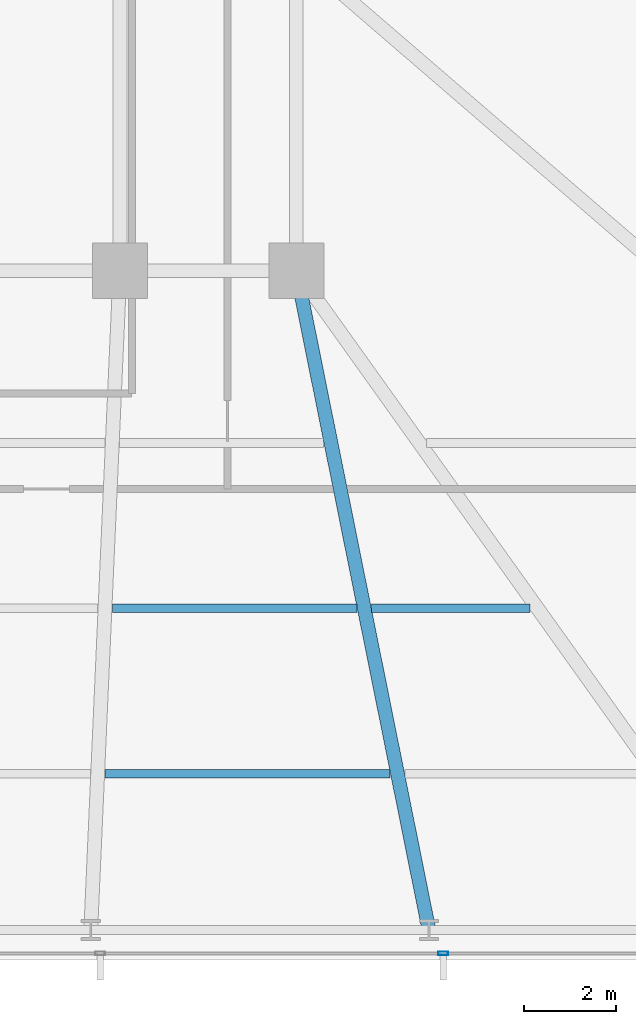
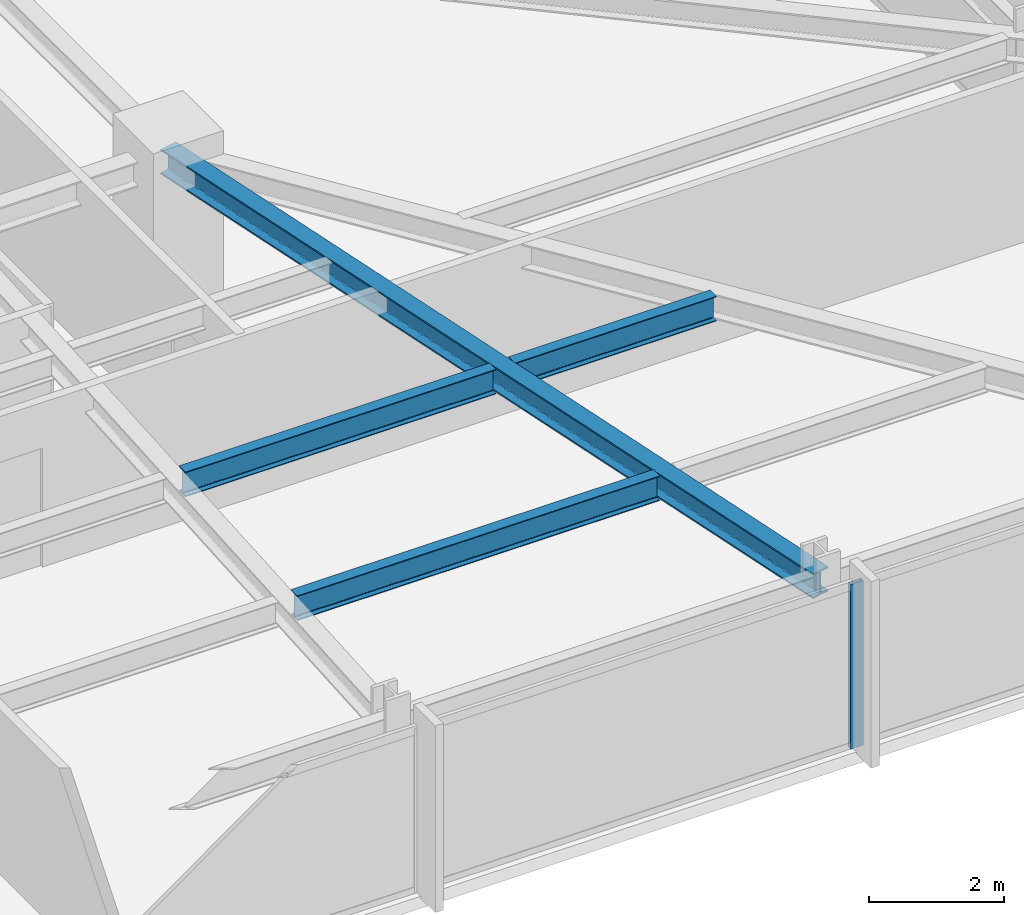
# One storey, part 14 of 32: 4 beams, 1 member, 1 element without a shape of its own.
"""IFC4 building model written with IfcOpenShell, lengths in metres."""

from ifc_helpers import new_model, si_unit, direction, frame, origin, origin_2d, place, context, subcontext, project, spatial, hollow_rectangle, i_section, extrude, material, material_profile, profile_set, type_object, element, aggregate, save


model = new_model("IFC4")

# Units and contexts
model_context = context("Model", 3, precision=1e-05, world=origin(), true_north=direction((0.0, 1.0)))
body_context = subcontext(model_context, "Body", "Model", "MODEL_VIEW")
ifc_project = project(units=[si_unit("LENGTHUNIT", "METRE"), si_unit("AREAUNIT", "SQUARE_METRE"), si_unit("VOLUMEUNIT", "CUBIC_METRE"), si_unit("PLANEANGLEUNIT", "RADIAN"), si_unit("MASSUNIT", "GRAM", prefix="KILO")], contexts=[model_context])

# Site, building, storey
site_placement = place(None, origin())
site = spatial("IfcSite", under=ifc_project, at=site_placement, CompositionType="ELEMENT")
building_placement = place(site_placement, origin())
building = spatial("IfcBuilding", under=site, at=building_placement, Name="Yelkora Congress Tower", CompositionType="ELEMENT")
storey_placement = place(building_placement, frame((0.0, 0.0, 74.60009765625)))
storey = spatial("IfcBuildingStorey", under=building, at=storey_placement, Name="L19", CompositionType="ELEMENT", Elevation=74.60009765625)

# Beams
ifc_material_1 = material(Name="Steel S355J2", Category="steel")
ifc_material_profile_1 = material_profile(ifc_material_1, i_section(OverallWidth=0.300048828125, OverallDepth=0.449951171875, WebThickness=0.013916015625, FlangeThickness=0.02587890625, FilletRadius=0.027099609375, at=origin_2d()), Name="HEB 450")
ifc_profile_set_1 = profile_set([ifc_material_profile_1], Name="Steel S355J2")
beam_type_1 = type_object("IfcBeamType", Name="BM-GIRD-HEB450", PredefinedType="BEAM", material=ifc_profile_set_1)
beam_1_placement = place(storey_placement, frame((60.487548828125, 10.85009765625, 2.7548828125), z_axis=(-0.197264295931, 0.980350344291, 0.0), x_axis=(-0.980350344291, -0.197264295931, 0.0)))
element("IfcBeam", 1, at=beam_1_placement, inside=storey, type_object=beam_type_1, Name="L19 Primary Frame Girder S08", PredefinedType="BEAM", context=body_context, shape_type="SweptSolid", body=[
    extrude(i_section(OverallWidth=0.300048828125, OverallDepth=0.449951171875, WebThickness=0.013916015625, FlangeThickness=0.02587890625, FilletRadius=0.027099609375, at=origin_2d()), origin(), (0.0, 0.0, 1.0), 14.637451171875),
])
ifc_material_profile_2 = material_profile(ifc_material_1, i_section(OverallWidth=0.18994140625, OverallDepth=0.449951171875, WebThickness=0.009521484375, FlangeThickness=0.0146484375, FilletRadius=0.02099609375, at=origin_2d()), Name="IPE 450")
ifc_profile_set_2 = profile_set([ifc_material_profile_2], Name="Steel S355J2")
beam_type_2 = type_object("IfcBeamType", Name="BM-JOIST-IPE450", PredefinedType="JOIST", material=ifc_profile_set_2)
beam_2_placement = place(storey_placement, frame((53.435546875, 14.25, 2.7548828125), z_axis=(1.0, 0.0, 0.0), x_axis=(0.0, 1.0, 0.0)))
element("IfcBeam", 2, at=beam_2_placement, inside=storey, type_object=beam_type_2, Name="L19 Composite Floor Joist 7", PredefinedType="JOIST", context=body_context, shape_type="SweptSolid", body=[
    extrude(i_section(OverallWidth=0.18994140625, OverallDepth=0.449951171875, WebThickness=0.009521484375, FlangeThickness=0.0146484375, FilletRadius=0.02099609375, at=origin_2d()), origin(), (0.0, 0.0, 1.0), 6.207763671875),
])
beam_3_placement = place(storey_placement, frame((53.5947265625, 17.85009765625, 2.7548828125), z_axis=(1.0, 0.0, 0.0), x_axis=(0.0, 1.0, 0.0)))
element("IfcBeam", 3, at=beam_3_placement, inside=storey, type_object=beam_type_2, Name="L19 Composite Floor Joist 15", PredefinedType="JOIST", context=body_context, shape_type="SweptSolid", body=[
    extrude(i_section(OverallWidth=0.18994140625, OverallDepth=0.449951171875, WebThickness=0.009521484375, FlangeThickness=0.0146484375, FilletRadius=0.02099609375, at=origin_2d()), origin(), (0.0, 0.0, 1.0), 5.32421875),
])
beam_4_placement = place(storey_placement, frame((59.239013671875, 17.85009765625, 2.7548828125), z_axis=(1.0, 0.0, 0.0), x_axis=(0.0, 1.0, 0.0)))
element("IfcBeam", 4, at=beam_4_placement, inside=storey, type_object=beam_type_2, Name="L19 Composite Floor Joist 16", PredefinedType="JOIST", context=body_context, shape_type="SweptSolid", body=[
    extrude(i_section(OverallWidth=0.18994140625, OverallDepth=0.449951171875, WebThickness=0.009521484375, FlangeThickness=0.0146484375, FilletRadius=0.02099609375, at=origin_2d()), origin(), (0.0, 0.0, 1.0), 3.450927734375),
])

# Curtain wall, member
ifc_material_2 = material(Name="Anodised aluminium and insulated glass", Category="aluminium")
curtain_wall_type = type_object("IfcCurtainWallType", Name="CW-SYS-B1", PredefinedType="NOTDEFINED", material=ifc_material_2)
curtain_wall_placement = place(storey_placement, origin())
curtain_wall = element("IfcCurtainWall", 5, at=curtain_wall_placement, inside=storey, type_object=curtain_wall_type, Name="L19 Unitised Curtain Wall 20", PredefinedType="NOTDEFINED")
ifc_material_3 = material(Name="Anodised aluminium 6063-T6", Category="aluminium")
ifc_material_profile_3 = material_profile(ifc_material_3, hollow_rectangle(XDim=0.074951171875, YDim=0.219970703125, WallThickness=0.0048828125, at=origin_2d()), Name="ALU 75x220x5")
ifc_profile_set_3 = profile_set([ifc_material_profile_3], Name="Anodised aluminium 6063-T6")
member_type = type_object("IfcMemberType", Name="MEM-ML-B1", PredefinedType="MULLION", material=ifc_profile_set_3)
member_placement = place(storey_placement, frame((60.794921875, 10.340087890625, 0.0), z_axis=(0.0, 0.0, 1.0), x_axis=(0.0, -1.0, 0.0)))
member = element("IfcMember", 6, at=member_placement, type_object=member_type, Name="CW-B1 mullion 2", PredefinedType="MULLION", context=body_context, shape_type="SweptSolid", body=[
    extrude(hollow_rectangle(XDim=0.074951171875, YDim=0.219970703125, WallThickness=0.0048828125, at=origin_2d()), origin(), (0.0, 0.0, 1.0), 2.97998046875),
])
aggregate(curtain_wall, [member])

save(model, "model.ifc")
